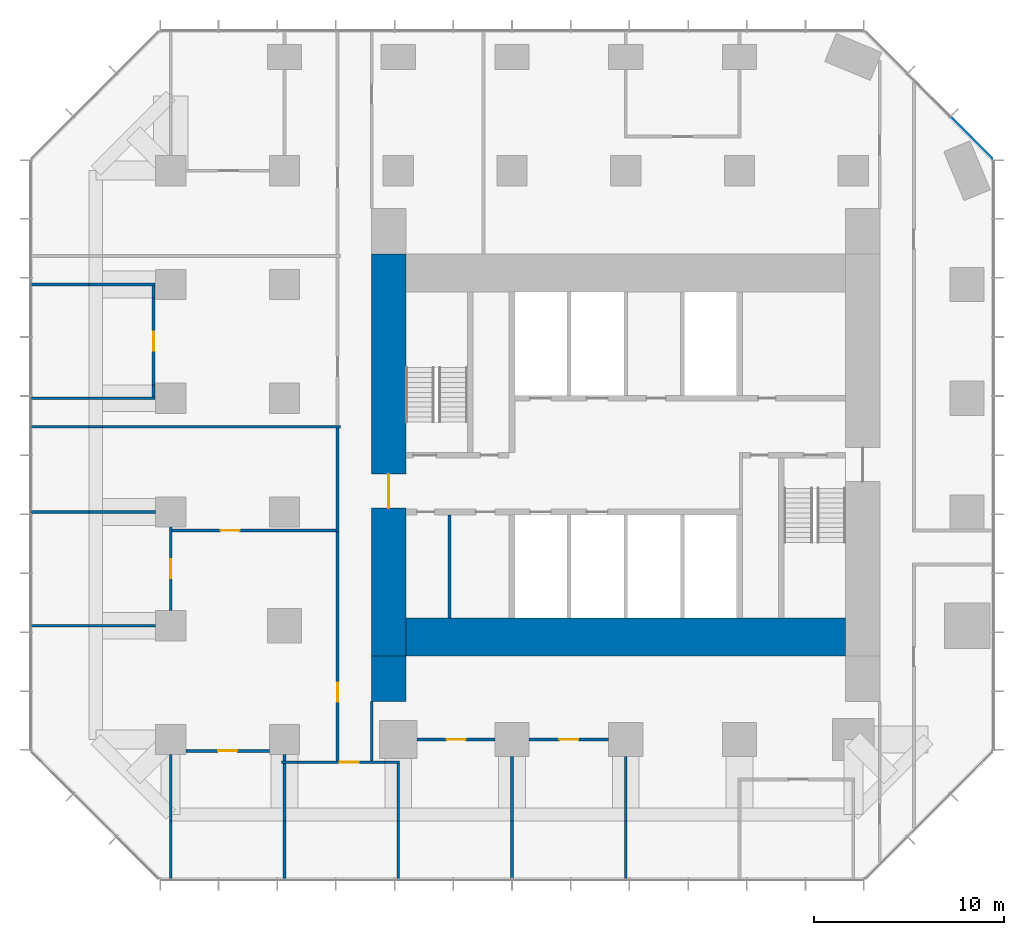
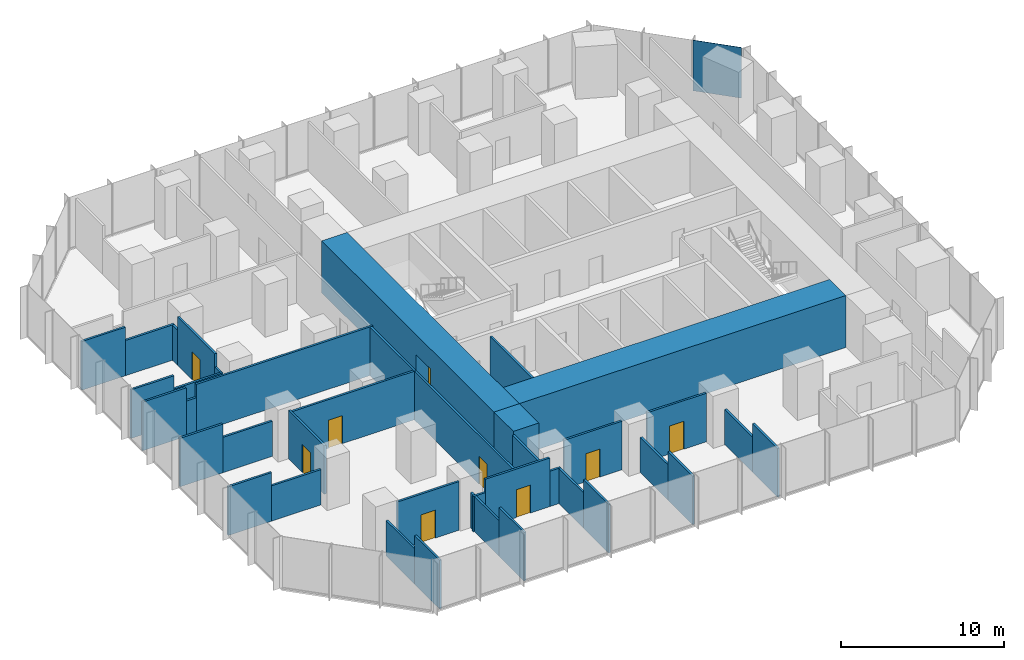
# One storey, part 8 of 11: 40 walls, 9 doors, 1 plate, 9 openings, 1 element without a shape of its own.
"""IFC4 building model written with IfcOpenShell, lengths in metres."""

import ifcopenshell
import ifcopenshell.guid

model = None  # the IFC model being written
_history = None  # IfcOwnerHistory: only IFC2X3 demands one
_inside = {}  # id of a spatial element -> (the spatial element, [elements in it])
_under = {}  # id of a project, library or spatial element -> (it, [spatial elements below it])
_declared = {}  # id of a project -> (the project, [libraries it declares])
_typed = {}  # id of a type object -> (the type object, [elements of that type])
_made_of = {}  # id of a material, layer set ... -> (it, [elements and type objects made of it])


def new_model(schema):
    """Start an empty IFC model of exactly this schema.

    Asked for "IFC4X3", IfcOpenShell would pick the latest addendum, in which some entities
    have other attributes; the version numbers below select the first issue.
    IFC2X3 requires an IfcOwnerHistory on every rooted entity: one is made here for all.
    """
    global model, _history
    if schema == "IFC4X3":
        model = ifcopenshell.file(schema_version=(4, 3, 0, 0))
    else:
        model = ifcopenshell.file(schema=schema)
    _inside.clear()
    _under.clear()
    _declared.clear()
    _typed.clear()
    _made_of.clear()
    _history = None
    if model.schema == "IFC2X3":
        org = make("IfcOrganization", Name="unknown")
        user = make(
            "IfcPersonAndOrganization",
            ThePerson=make("IfcPerson", FamilyName="unknown"),
            TheOrganization=org,
        )
        app = make(
            "IfcApplication",
            ApplicationDeveloper=org,
            Version="unknown",
            ApplicationFullName="unknown",
            ApplicationIdentifier="unknown",
        )
        _history = make(
            "IfcOwnerHistory",
            OwningUser=user,
            OwningApplication=app,
            ChangeAction="ADDED",
            CreationDate=0,
        )
    return model


def make(cls, **values):
    """One entity of the class cls with the attributes given. An attribute that is None is left unset."""
    return model.create_entity(
        cls, **{name: value for name, value in values.items() if value is not None}
    )


def rooted(cls, **values):
    """An entity with a GlobalId (a new one), such as an element, a storey or a relation."""
    return make(cls, GlobalId=ifcopenshell.guid.new(), OwnerHistory=_history, **values)


def si_unit(unit_type, name, prefix=None):
    """IfcSIUnit, for example si_unit("LENGTHUNIT", "METRE", prefix="MILLI")."""
    return make("IfcSIUnit", UnitType=unit_type, Prefix=prefix, Name=name)


def assignment(units):
    """IfcUnitAssignment: the units of a project."""
    return None if units is None else make("IfcUnitAssignment", Units=units)


def point(xyz):
    """IfcCartesianPoint."""
    return None if xyz is None else make("IfcCartesianPoint", Coordinates=xyz)


def direction(xyz):
    """IfcDirection."""
    return None if xyz is None else make("IfcDirection", DirectionRatios=xyz)


def frame(location, z_axis=None, x_axis=None):
    """IfcAxis2Placement3D, a coordinate frame: its origin and axes. An axis left out is left unset."""
    return make(
        "IfcAxis2Placement3D",
        Location=point(location),
        Axis=direction(z_axis),
        RefDirection=direction(x_axis),
    )


def frame_2d(location, x_axis=None):
    """IfcAxis2Placement2D, a coordinate frame in the plane: its origin and x axis."""
    return make(
        "IfcAxis2Placement2D", Location=point(location), RefDirection=direction(x_axis)
    )


def origin():
    """The frame at (0, 0, 0) with its axes left unset."""
    return frame((0.0, 0.0, 0.0))


def origin_2d():
    """The frame at (0, 0) in the plane with its x axis left unset."""
    return frame_2d((0.0, 0.0))


def place(relative_to, where):
    """IfcLocalPlacement: puts the frame where relative to a parent placement (None: the world)."""
    return make(
        "IfcLocalPlacement", PlacementRelTo=relative_to, RelativePlacement=where
    )


def context(
    kind, dimensions, precision=None, world=None, true_north=None, identifier=None
):
    """IfcGeometricRepresentationContext, for example the 3D "Model" context."""
    return make(
        "IfcGeometricRepresentationContext",
        ContextIdentifier=identifier,
        ContextType=kind,
        CoordinateSpaceDimension=dimensions,
        Precision=precision,
        WorldCoordinateSystem=world,
        TrueNorth=true_north,
    )


def subcontext(parent, identifier, kind, view, scale=None):
    """IfcGeometricRepresentationSubContext, for example "Body" below "Model"."""
    return make(
        "IfcGeometricRepresentationSubContext",
        ContextIdentifier=identifier,
        ContextType=kind,
        ParentContext=parent,
        TargetScale=scale,
        TargetView=view,
    )


def project(units=None, contexts=None):
    """IfcProject with its units and contexts."""
    return rooted(
        "IfcProject",
        Name="project",
        RepresentationContexts=contexts,
        UnitsInContext=assignment(units),
    )


def spatial(cls, under=None, at=None, **own):
    """A site, building, storey or space (cls), placed at a placement, below another one or the project."""
    s = rooted(cls, ObjectPlacement=at, **own)
    if under is not None:
        _under.setdefault(under.id(), (under, []))[1].append(s)
    return s


def profile(cls, at=None, kind="AREA", **sizes):
    """A parametric profile (cls). Its sizes go by their IFC names, for example OverallWidth=200.0."""
    return make(cls, ProfileType=kind, Position=at, **sizes)


def rectangle(**sizes):
    """IfcRectangleProfileDef."""
    return profile("IfcRectangleProfileDef", **sizes)


def extrude(swept, where, along, depth):
    """IfcExtrudedAreaSolid: the profile swept, set in the frame where, extruded along a direction by depth."""
    return make(
        "IfcExtrudedAreaSolid",
        SweptArea=swept,
        Position=where,
        ExtrudedDirection=direction(along),
        Depth=depth,
    )


def shape(context_of_items, identifier, shape_type, items):
    """IfcShapeRepresentation: the items that make up one representation, for example the "Body"."""
    return make(
        "IfcShapeRepresentation",
        ContextOfItems=context_of_items,
        RepresentationIdentifier=identifier,
        RepresentationType=shape_type,
        Items=items,
    )


def material(Name=None, Category=None):
    """IfcMaterial."""
    return make("IfcMaterial", Name=Name, Category=Category)


def layer(
    of_material, thickness, ventilated=None, Name=None, Category=None, Priority=None
):
    """IfcMaterialLayer: one layer of a wall or slab, of a material (None: an air gap)."""
    return make(
        "IfcMaterialLayer",
        Material=of_material,
        LayerThickness=thickness,
        IsVentilated=ventilated,
        Name=Name,
        Category=Category,
        Priority=Priority,
    )


def layer_set(layers, Name=None):
    """IfcMaterialLayerSet."""
    return make("IfcMaterialLayerSet", MaterialLayers=layers, LayerSetName=Name)


def made_of(thing, what):
    """Note that an element or type object is made of a material, layer set ...; save() writes the relation."""
    if what is not None:
        _made_of.setdefault(what.id(), (what, []))[1].append(thing)
    return thing


def type_object(cls, material=None, **own):
    """A type object (cls), such as IfcWallType, which elements share."""
    return made_of(rooted(cls, **own), material)


def element(
    cls,
    number,
    at=None,
    inside=None,
    cuts=None,
    type_object=None,
    material=None,
    context=None,
    identifier="Body",
    shape_type=None,
    held_by="IfcProductDefinitionShape",
    body=None,
    shapes=None,
    **own,
):
    """One element of the class cls, such as IfcWall. Its Tag is "e" and its number.

    at: its placement. inside: the storey or other place that contains it. cuts: it is an
    opening in that element (IfcRelVoidsElement). A single representation is given by context,
    identifier, shape_type and body (its items); several are given by shapes. held_by: the class
    of the entity that holds the representations. save() writes the other relations.
    """
    e = rooted(cls, Tag="e%d" % number, ObjectPlacement=at, **own)
    if body is not None:
        shapes = [shape(context, identifier, shape_type, body)]
    if shapes is not None:
        e.Representation = make(held_by, Representations=shapes)
    if inside is not None:
        _inside.setdefault(inside.id(), (inside, []))[1].append(e)
    if cuts is not None:
        rooted(
            "IfcRelVoidsElement", RelatingBuildingElement=cuts, RelatedOpeningElement=e
        )
    if type_object is not None:
        _typed.setdefault(type_object.id(), (type_object, []))[1].append(e)
    return made_of(e, material)


def fill(opening, filler):
    """IfcRelFillsElement: the door or window that sits in an opening."""
    return rooted(
        "IfcRelFillsElement",
        RelatingOpeningElement=opening,
        RelatedBuildingElement=filler,
    )


def aggregate(whole, parts):
    """IfcRelAggregates: a whole, such as a stair, and the parts it consists of."""
    return rooted("IfcRelAggregates", RelatingObject=whole, RelatedObjects=parts)


def save(model, path):
    """Write the relations noted so far, then the file.

    IfcRelAggregates (storeys below a building ...), IfcRelContainedInSpatialStructure (elements
    in a storey), IfcRelDefinesByType, IfcRelAssociatesMaterial and IfcRelDeclares: one each for
    every whole, place, type object, material and project.
    """
    for whole, parts in _under.values():
        aggregate(whole, parts)
    for where, things in _inside.values():
        rooted(
            "IfcRelContainedInSpatialStructure",
            RelatedElements=things,
            RelatingStructure=where,
        )
    for kind, things in _typed.values():
        rooted("IfcRelDefinesByType", RelatedObjects=things, RelatingType=kind)
    for what, things in _made_of.values():
        rooted("IfcRelAssociatesMaterial", RelatedObjects=things, RelatingMaterial=what)
    for by, libraries in _declared.values():
        rooted("IfcRelDeclares", RelatingContext=by, RelatedDefinitions=libraries)
    model.write(path)


model = new_model("IFC4")

# Units and contexts
model_context = context("Model", 3, precision=1e-05, world=origin(), true_north=direction((0.0, 1.0)))
body_context = subcontext(model_context, "Body", "Model", "MODEL_VIEW")
ifc_project = project(units=[si_unit("LENGTHUNIT", "METRE"), si_unit("AREAUNIT", "SQUARE_METRE"), si_unit("VOLUMEUNIT", "CUBIC_METRE"), si_unit("PLANEANGLEUNIT", "RADIAN"), si_unit("MASSUNIT", "GRAM", prefix="KILO")], contexts=[model_context])

# Site, building, storey
site_placement = place(None, origin())
site = spatial("IfcSite", under=ifc_project, at=site_placement, CompositionType="ELEMENT")
building_placement = place(site_placement, origin())
building = spatial("IfcBuilding", under=site, at=building_placement, Name="Highveld Stack Headquarters", CompositionType="ELEMENT")
storey_placement = place(building_placement, frame((0.0, 0.0, 125.0)))
storey = spatial("IfcBuildingStorey", under=building, at=storey_placement, Name="L30", CompositionType="ELEMENT", Elevation=125.0)

# Curtain wall, plate
ifc_material_1 = material(Name="Aluminium bronze anodised", Category="aluminium")
ifc_layer_1 = layer(ifc_material_1, 0.199951171875)
ifc_layer_set_1 = layer_set([ifc_layer_1], Name="Aluminium bronze anodised")
curtain_wall_type = type_object("IfcCurtainWallType", Name="CW2 TOWER CHAMFER UNITISED CURTAIN WALL", PredefinedType="NOTDEFINED", material=ifc_layer_set_1)
curtain_wall_placement = place(storey_placement, origin())
curtain_wall = element("IfcCurtainWall", 1, at=curtain_wall_placement, inside=storey, type_object=curtain_wall_type, Name="Curtain wall CW2 L30 NE", PredefinedType="NOTDEFINED")
ifc_material_2 = material(Name="Glass bronze tinted double glazed unit", Category="glass")
ifc_layer_2 = layer(ifc_material_2, 0.028076171875)
ifc_layer_set_2 = layer_set([ifc_layer_2], Name="Glass bronze tinted double glazed unit")
plate_type = type_object("IfcPlateType", Name="CW2 PANEL BRONZE TINTED DOUBLE GLAZED UNIT", PredefinedType="CURTAIN_PANEL", material=ifc_layer_set_2)
plate_placement = place(storey_placement, frame((24.239501953125, 19.740478515625, 0.10009765625), z_axis=(0.0, 0.0, 1.0), x_axis=(-0.707106781187, 0.707106781187, 0.0)))
plate = element("IfcPlate", 2, at=plate_placement, type_object=plate_type, Name="CW2 panel L30 1.1", PredefinedType="CURTAIN_PANEL", context=body_context, shape_type="SweptSolid", body=[
    extrude(rectangle(XDim=3.08251953125, YDim=0.028076171875, at=origin_2d()), origin(), (0.0, 0.0, 1.0), 3.800048828125),
])
aggregate(curtain_wall, [plate])

# Wall, opening, door
ifc_material_3 = material(Name="Concrete C60/75", Category="concrete")
ifc_layer_3 = layer(ifc_material_3, 1.800048828125)
ifc_layer_set_3 = layer_set([ifc_layer_3], Name="Concrete C60/75")
wall_type_1 = type_object("IfcWallType", Name="CORE WALL 1800 C60/75", PredefinedType="SHEAR", material=ifc_layer_set_3)
wall_1_placement = place(storey_placement, frame((-6.5, -7.60009765625, 0.0), z_axis=(0.0, 0.0, 1.0), x_axis=(0.0, 1.0, 0.0)))
wall_1 = element("IfcWall", 3, at=wall_1_placement, inside=storey, type_object=wall_type_1, Name="Core wall W L30", PredefinedType="SHEAR", context=body_context, shape_type="SweptSolid", body=[
    extrude(rectangle(XDim=21.2001953125, YDim=1.800048828125, at=frame_2d((10.60009765625, 0.0))), origin(), (0.0, 0.0, 1.0), 3.89990234375),
])
opening_1_placement = place(wall_1_placement, frame((7.800048828125, 0.0, 0.0)))
opening_1 = element("IfcOpeningElement", 4, at=opening_1_placement, cuts=wall_1, Name="Opening L30-01", PredefinedType="OPENING", context=body_context, shape_type="SweptSolid", body=[
    extrude(rectangle(XDim=1.800048828125, YDim=2.39990234375, at=frame_2d((0.89990234375, 1.199951171875))), frame((0.0, 0.909912109375, 0.0), z_axis=(0.0, -1.0, 0.0), x_axis=(1.0, 0.0, 0.0)), (0.0, 0.0, 1.0), 1.820068359375),
])
ifc_material_4 = material(Name="Steel fire door", Category="steel")
door_type_1 = type_object("IfcDoorType", Name="LOBBY FIRE DOOR D4 1800x2400", OperationType="DOUBLE_DOOR_SINGLE_SWING", PredefinedType="DOOR", material=ifc_material_4)
door_1_placement = place(opening_1_placement, origin())
door_1 = element("IfcDoor", 5, at=door_1_placement, inside=storey, type_object=door_type_1, Name="Core west door L30", OperationType="DOUBLE_DOOR_SINGLE_SWING", OverallHeight=2.39990234375, OverallWidth=1.800048828125, PredefinedType="DOOR", context=body_context, shape_type="SweptSolid", body=[
    extrude(rectangle(XDim=1.800048828125, YDim=2.39990234375, at=frame_2d((0.89990234375, 1.199951171875))), frame((0.0, 0.02490234375, 0.0), z_axis=(0.0, -1.0, 0.0), x_axis=(1.0, 0.0, 0.0)), (0.0, 0.0, 1.0), 0.050048828125),
])
fill(opening_1, door_1)

# Walls
ifc_material_5 = material(Name="Concrete C60/75", Category="concrete")
ifc_layer_4 = layer(ifc_material_5, 2.0)
ifc_layer_set_4 = layer_set([ifc_layer_4], Name="Concrete C60/75")
wall_type_2 = type_object("IfcWallType", Name="CORE WALL 2000 C60/75", PredefinedType="SHEAR", material=ifc_layer_set_4)
wall_2_placement = place(storey_placement, frame((-5.60009765625, -6.60009765625, 0.0), z_axis=(0.0, 0.0, 1.0), x_axis=(1.0, 0.0, 0.0)))
element("IfcWall", 6, at=wall_2_placement, inside=storey, type_object=wall_type_2, Name="Core wall S L30", PredefinedType="SHEAR", context=body_context, shape_type="SweptSolid", body=[
    extrude(rectangle(XDim=23.2001953125, YDim=2.0, at=frame_2d((11.60009765625, 0.0))), origin(), (0.0, 0.0, 1.0), 3.89990234375),
])
ifc_material_6 = material(Name="Concrete C60/75", Category="concrete")
ifc_layer_5 = layer(ifc_material_6, 1.800048828125)
ifc_layer_set_5 = layer_set([ifc_layer_5], Name="Concrete C60/75")
wall_type_3 = type_object("IfcWallType", Name="CORE WING WALL 1800 C60/75", PredefinedType="SHEAR", material=ifc_layer_set_5)
wall_3_placement = place(storey_placement, frame((-6.5, -10.0, 0.0), z_axis=(0.0, 0.0, 1.0), x_axis=(0.0, 1.0, 0.0)))
element("IfcWall", 7, at=wall_3_placement, inside=storey, type_object=wall_type_3, Name="Core wing wall WS L30", PredefinedType="SHEAR", context=body_context, shape_type="SweptSolid", body=[
    extrude(rectangle(XDim=2.39990234375, YDim=1.800048828125, at=frame_2d((1.199951171875, 0.0))), origin(), (0.0, 0.0, 1.0), 3.89990234375),
])

# Wall, opening, door
ifc_material_7 = material(Name="Laminated glass in aluminium frame", Category="aluminium")
ifc_layer_6 = layer(ifc_material_7, 0.14990234375)
ifc_layer_set_6 = layer_set([ifc_layer_6], Name="Laminated glass in aluminium frame")
wall_type_4 = type_object("IfcWallType", Name="GLAZED PARTITION 150", PredefinedType="PARTITIONING", material=ifc_layer_set_6)
wall_4_placement = place(storey_placement, frame((-17.199951171875, -12.60009765625, 0.0), z_axis=(0.0, 0.0, 1.0), x_axis=(1.0, 0.0, 0.0)))
wall_4 = element("IfcWall", 8, at=wall_4_placement, inside=storey, type_object=wall_type_4, Name="Glazed partition Video conference room L30", PredefinedType="PARTITIONING", context=body_context, shape_type="SweptSolid", body=[
    extrude(rectangle(XDim=4.39990234375, YDim=0.14990234375, at=frame_2d((2.199951171875, 0.0))), origin(), (0.0, 0.0, 1.0), 3.64990234375),
])
opening_2_placement = place(wall_4_placement, frame((1.699951171875, 0.0, 0.0)))
opening_2 = element("IfcOpeningElement", 9, at=opening_2_placement, cuts=wall_4, Name="Opening L30-11", PredefinedType="OPENING", context=body_context, shape_type="SweptSolid", body=[
    extrude(rectangle(XDim=1.0, YDim=2.10009765625, at=frame_2d((0.5, 1.050048828125))), frame((0.0, 0.0849609375, 0.0), z_axis=(0.0, -1.0, 0.0), x_axis=(1.0, 0.0, 0.0)), (0.0, 0.0, 1.0), 0.169921875),
])
ifc_material_8 = material(Name="Timber door, oiled ash", Category="wood")
door_type_2 = type_object("IfcDoorType", Name="ROOM DOOR D6 1000x2100", OperationType="SINGLE_SWING_LEFT", PredefinedType="DOOR", material=ifc_material_8)
door_2_placement = place(opening_2_placement, origin())
door_2 = element("IfcDoor", 10, at=door_2_placement, inside=storey, type_object=door_type_2, Name="Video conference room door 1 L30", OperationType="SINGLE_SWING_RIGHT", OverallHeight=2.10009765625, OverallWidth=1.0, PredefinedType="DOOR", context=body_context, shape_type="SweptSolid", body=[
    extrude(rectangle(XDim=1.0, YDim=2.10009765625, at=frame_2d((0.5, 1.050048828125))), frame((0.0, 0.02490234375, 0.0), z_axis=(0.0, -1.0, 0.0), x_axis=(1.0, 0.0, 0.0)), (0.0, 0.0, 1.0), 0.050048828125),
])
fill(opening_2, door_2)

wall_5_placement = place(storey_placement, frame((0.89990234375, -12.0, 0.0), z_axis=(0.0, 0.0, 1.0), x_axis=(1.0, 0.0, 0.0)))
wall_5 = element("IfcWall", 11, at=wall_5_placement, inside=storey, type_object=wall_type_4, Name="Glazed partition Meeting room L30", PredefinedType="PARTITIONING", context=body_context, shape_type="SweptSolid", body=[
    extrude(rectangle(XDim=4.2001953125, YDim=0.14990234375, at=frame_2d((2.10009765625, 0.0))), origin(), (0.0, 0.0, 1.0), 3.64990234375),
])
opening_3_placement = place(wall_5_placement, frame((1.60009765625, 0.0, 0.0)))
opening_3 = element("IfcOpeningElement", 12, at=opening_3_placement, cuts=wall_5, Name="Opening L30-14", PredefinedType="OPENING", context=body_context, shape_type="SweptSolid", body=[
    extrude(rectangle(XDim=1.0, YDim=2.10009765625, at=frame_2d((0.5, 1.050048828125))), frame((0.0, 0.0849609375, 0.0), z_axis=(0.0, -1.0, 0.0), x_axis=(1.0, 0.0, 0.0)), (0.0, 0.0, 1.0), 0.169921875),
])
door_3_placement = place(opening_3_placement, origin())
door_3 = element("IfcDoor", 13, at=door_3_placement, inside=storey, type_object=door_type_2, Name="Meeting room door 1 L30", OperationType="SINGLE_SWING_RIGHT", OverallHeight=2.10009765625, OverallWidth=1.0, PredefinedType="DOOR", context=body_context, shape_type="SweptSolid", body=[
    extrude(rectangle(XDim=1.0, YDim=2.10009765625, at=frame_2d((0.5, 1.050048828125))), frame((0.0, 0.02490234375, 0.0), z_axis=(0.0, -1.0, 0.0), x_axis=(1.0, 0.0, 0.0)), (0.0, 0.0, 1.0), 0.050048828125),
])
fill(opening_3, door_3)

wall_6_placement = place(storey_placement, frame((-18.0, -5.199951171875, 0.0), z_axis=(0.0, 0.0, 1.0), x_axis=(0.0, 1.0, 0.0)))
wall_6 = element("IfcWall", 14, at=wall_6_placement, inside=storey, type_object=wall_type_4, Name="Glazed partition Meeting room L30", PredefinedType="PARTITIONING", context=body_context, shape_type="SweptSolid", body=[
    extrude(rectangle(XDim=4.39990234375, YDim=0.14990234375, at=frame_2d((2.199951171875, 0.0))), origin(), (0.0, 0.0, 1.0), 3.64990234375),
])
opening_4_placement = place(wall_6_placement, frame((1.699951171875, 0.0, 0.0)))
opening_4 = element("IfcOpeningElement", 15, at=opening_4_placement, cuts=wall_6, Name="Opening L30-16", PredefinedType="OPENING", context=body_context, shape_type="SweptSolid", body=[
    extrude(rectangle(XDim=1.0, YDim=2.10009765625, at=frame_2d((0.5, 1.050048828125))), frame((0.0, 0.0849609375, 0.0), z_axis=(0.0, -1.0, 0.0), x_axis=(1.0, 0.0, 0.0)), (0.0, 0.0, 1.0), 0.169921875),
])
door_4_placement = place(opening_4_placement, origin())
door_4 = element("IfcDoor", 16, at=door_4_placement, inside=storey, type_object=door_type_2, Name="Meeting room door 1 L30", OperationType="SINGLE_SWING_RIGHT", OverallHeight=2.10009765625, OverallWidth=1.0, PredefinedType="DOOR", context=body_context, shape_type="SweptSolid", body=[
    extrude(rectangle(XDim=1.0, YDim=2.10009765625, at=frame_2d((0.5, 1.050048828125))), frame((0.0, 0.02490234375, 0.0), z_axis=(0.0, -1.0, 0.0), x_axis=(1.0, 0.0, 0.0)), (0.0, 0.0, 1.0), 0.050048828125),
])
fill(opening_4, door_4)

# Wall
ifc_material_9 = material(Name="Gypsum plasterboard on steel studs", Category="steel")
ifc_layer_7 = layer(ifc_material_9, 0.14990234375)
ifc_layer_set_7 = layer_set([ifc_layer_7], Name="Gypsum plasterboard on steel studs")
wall_type_5 = type_object("IfcWallType", Name="PARTITION 150 PLASTERBOARD", PredefinedType="PARTITIONING", material=ifc_layer_set_7)
wall_7_placement = place(storey_placement, frame((-12.14990234375, -13.199951171875, 0.0), z_axis=(0.0, 0.0, 1.0), x_axis=(1.0, 0.0, 0.0)))
element("IfcWall", 17, at=wall_7_placement, inside=storey, type_object=wall_type_5, Name="Partition Tea kitchen L30", PredefinedType="PARTITIONING", context=body_context, shape_type="SweptSolid", body=[
    extrude(rectangle(XDim=0.85986328125, YDim=0.14990234375, at=frame_2d((0.429931640625, 0.0))), origin(), (0.0, 0.0, 1.0), 2.64990234375),
])

# Wall, opening, door
wall_8_placement = place(storey_placement, frame((-11.2900390625, -13.199951171875, 0.0), z_axis=(0.0, 0.0, 1.0), x_axis=(1.0, 0.0, 0.0)))
wall_8 = element("IfcWall", 18, at=wall_8_placement, inside=storey, type_object=wall_type_5, Name="Partition Tea kitchen L30", PredefinedType="PARTITIONING", context=body_context, shape_type="SweptSolid", body=[
    extrude(rectangle(XDim=4.580078125, YDim=0.14990234375, at=frame_2d((2.2900390625, 0.0))), origin(), (0.0, 0.0, 1.0), 3.64990234375),
])
opening_5_placement = place(wall_8_placement, frame((2.199951171875, 0.0, 0.0)))
opening_5 = element("IfcOpeningElement", 19, at=opening_5_placement, cuts=wall_8, Name="Opening L30-12", PredefinedType="OPENING", context=body_context, shape_type="SweptSolid", body=[
    extrude(rectangle(XDim=1.0, YDim=2.10009765625, at=frame_2d((0.5, 1.050048828125))), frame((0.0, 0.0849609375, 0.0), z_axis=(0.0, -1.0, 0.0), x_axis=(1.0, 0.0, 0.0)), (0.0, 0.0, 1.0), 0.169921875),
])
door_5_placement = place(opening_5_placement, origin())
door_5 = element("IfcDoor", 20, at=door_5_placement, inside=storey, type_object=door_type_2, Name="Tea kitchen door 1 L30", OperationType="SINGLE_SWING_RIGHT", OverallHeight=2.10009765625, OverallWidth=1.0, PredefinedType="DOOR", context=body_context, shape_type="SweptSolid", body=[
    extrude(rectangle(XDim=1.0, YDim=2.10009765625, at=frame_2d((0.5, 1.050048828125))), frame((0.0, 0.02490234375, 0.0), z_axis=(0.0, -1.0, 0.0), x_axis=(1.0, 0.0, 0.0)), (0.0, 0.0, 1.0), 0.050048828125),
])
fill(opening_5, door_5)

# Wall
wall_9_placement = place(storey_placement, frame((-6.7099609375, -13.199951171875, 0.0), z_axis=(0.0, 0.0, 1.0), x_axis=(1.0, 0.0, 0.0)))
element("IfcWall", 21, at=wall_9_placement, inside=storey, type_object=wall_type_5, Name="Partition Tea kitchen L30", PredefinedType="PARTITIONING", context=body_context, shape_type="SweptSolid", body=[
    extrude(rectangle(XDim=0.784912109375, YDim=0.14990234375, at=frame_2d((0.392578125, 0.0))), origin(), (0.0, 0.0, 1.0), 2.64990234375),
])

# Wall, opening, door
wall_10_placement = place(storey_placement, frame((-5.0, -12.0, 0.0), z_axis=(0.0, 0.0, 1.0), x_axis=(1.0, 0.0, 0.0)))
wall_10 = element("IfcWall", 22, at=wall_10_placement, inside=storey, type_object=wall_type_5, Name="Partition Office L30", PredefinedType="PARTITIONING", context=body_context, shape_type="SweptSolid", body=[
    extrude(rectangle(XDim=4.10009765625, YDim=0.14990234375, at=frame_2d((2.050048828125, 0.0))), origin(), (0.0, 0.0, 1.0), 3.64990234375),
])
opening_6_placement = place(wall_10_placement, frame((1.550048828125, 0.0, 0.0)))
opening_6 = element("IfcOpeningElement", 23, at=opening_6_placement, cuts=wall_10, Name="Opening L30-13", PredefinedType="OPENING", context=body_context, shape_type="SweptSolid", body=[
    extrude(rectangle(XDim=1.0, YDim=2.10009765625, at=frame_2d((0.5, 1.050048828125))), frame((0.0, 0.0849609375, 0.0), z_axis=(0.0, -1.0, 0.0), x_axis=(1.0, 0.0, 0.0)), (0.0, 0.0, 1.0), 0.169921875),
])
door_6_placement = place(opening_6_placement, origin())
door_6 = element("IfcDoor", 24, at=door_6_placement, inside=storey, type_object=door_type_2, Name="Office door 1 L30", OperationType="SINGLE_SWING_RIGHT", OverallHeight=2.10009765625, OverallWidth=1.0, PredefinedType="DOOR", context=body_context, shape_type="SweptSolid", body=[
    extrude(rectangle(XDim=1.0, YDim=2.10009765625, at=frame_2d((0.5, 1.050048828125))), frame((0.0, 0.02490234375, 0.0), z_axis=(0.0, -1.0, 0.0), x_axis=(1.0, 0.0, 0.0)), (0.0, 0.0, 1.0), 0.050048828125),
])
fill(opening_6, door_6)

# Walls
wall_11_placement = place(storey_placement, frame((-25.39990234375, -6.0, 0.0), z_axis=(0.0, 0.0, 1.0), x_axis=(1.0, 0.0, 0.0)))
element("IfcWall", 25, at=wall_11_placement, inside=storey, type_object=wall_type_5, Name="Partition Meeting room L30", PredefinedType="PARTITIONING", context=body_context, shape_type="SweptSolid", body=[
    extrude(rectangle(XDim=3.08984375, YDim=0.14990234375, at=frame_2d((1.544921875, 0.0))), origin(), (0.0, 0.0, 1.0), 3.64990234375),
])
wall_12_placement = place(storey_placement, frame((-22.31005859375, -6.0, 0.0), z_axis=(0.0, 0.0, 1.0), x_axis=(1.0, 0.0, 0.0)))
element("IfcWall", 26, at=wall_12_placement, inside=storey, type_object=wall_type_5, Name="Partition Meeting room L30", PredefinedType="PARTITIONING", context=body_context, shape_type="SweptSolid", body=[
    extrude(rectangle(XDim=3.510009765625, YDim=0.14990234375, at=frame_2d((1.7548828125, 0.0))), origin(), (0.0, 0.0, 1.0), 2.64990234375),
])
wall_13_placement = place(storey_placement, frame((-25.35009765625, 0.0, 0.0), z_axis=(0.0, 0.0, 1.0), x_axis=(1.0, 0.0, 0.0)))
element("IfcWall", 27, at=wall_13_placement, inside=storey, type_object=wall_type_5, Name="Partition Meeting room L30", PredefinedType="PARTITIONING", context=body_context, shape_type="SweptSolid", body=[
    extrude(rectangle(XDim=3.0400390625, YDim=0.14990234375, at=frame_2d((1.52001953125, 0.0))), origin(), (0.0, 0.0, 1.0), 3.64990234375),
])
wall_14_placement = place(storey_placement, frame((-22.31005859375, 0.0, 0.0), z_axis=(0.0, 0.0, 1.0), x_axis=(1.0, 0.0, 0.0)))
element("IfcWall", 28, at=wall_14_placement, inside=storey, type_object=wall_type_5, Name="Partition Meeting room L30", PredefinedType="PARTITIONING", context=body_context, shape_type="SweptSolid", body=[
    extrude(rectangle(XDim=3.510009765625, YDim=0.14990234375, at=frame_2d((1.7548828125, 0.0))), origin(), (0.0, 0.0, 1.0), 2.64990234375),
])
wall_15_placement = place(storey_placement, frame((-25.35009765625, 6.0, 0.0), z_axis=(0.0, 0.0, 1.0), x_axis=(1.0, 0.0, 0.0)))
element("IfcWall", 29, at=wall_15_placement, inside=storey, type_object=wall_type_5, Name="Partition Interview room L30", PredefinedType="PARTITIONING", context=body_context, shape_type="SweptSolid", body=[
    extrude(rectangle(XDim=3.0400390625, YDim=0.14990234375, at=frame_2d((1.52001953125, 0.0))), origin(), (0.0, 0.0, 1.0), 3.64990234375),
])
wall_16_placement = place(storey_placement, frame((-22.31005859375, 6.0, 0.0), z_axis=(0.0, 0.0, 1.0), x_axis=(1.0, 0.0, 0.0)))
element("IfcWall", 30, at=wall_16_placement, inside=storey, type_object=wall_type_5, Name="Partition Interview room L30", PredefinedType="PARTITIONING", context=body_context, shape_type="SweptSolid", body=[
    extrude(rectangle(XDim=3.485107421875, YDim=0.14990234375, at=frame_2d((1.74267578125, 0.0))), origin(), (0.0, 0.0, 1.0), 2.64990234375),
])
wall_17_placement = place(storey_placement, frame((-25.39990234375, 12.0, 0.0), z_axis=(0.0, 0.0, 1.0), x_axis=(1.0, 0.0, 0.0)))
element("IfcWall", 31, at=wall_17_placement, inside=storey, type_object=wall_type_5, Name="Partition Interview room L30", PredefinedType="PARTITIONING", context=body_context, shape_type="SweptSolid", body=[
    extrude(rectangle(XDim=3.08984375, YDim=0.14990234375, at=frame_2d((1.544921875, 0.0))), origin(), (0.0, 0.0, 1.0), 3.64990234375),
])
wall_18_placement = place(storey_placement, frame((-22.31005859375, 12.0, 0.0), z_axis=(0.0, 0.0, 1.0), x_axis=(1.0, 0.0, 0.0)))
element("IfcWall", 32, at=wall_18_placement, inside=storey, type_object=wall_type_5, Name="Partition Interview room L30", PredefinedType="PARTITIONING", context=body_context, shape_type="SweptSolid", body=[
    extrude(rectangle(XDim=3.485107421875, YDim=0.14990234375, at=frame_2d((1.74267578125, 0.0))), origin(), (0.0, 0.0, 1.0), 2.64990234375),
])
wall_19_placement = place(storey_placement, frame((-18.89990234375, 6.074951171875, 0.0), z_axis=(0.0, 0.0, 1.0), x_axis=(0.0, 1.0, 0.0)))
element("IfcWall", 33, at=wall_19_placement, inside=storey, type_object=wall_type_5, Name="Partition Interview room L30", PredefinedType="PARTITIONING", context=body_context, shape_type="SweptSolid", body=[
    extrude(rectangle(XDim=0.635009765625, YDim=0.14990234375, at=frame_2d((0.3173828125, 0.0))), origin(), (0.0, 0.0, 1.0), 2.64990234375),
])

# Wall, opening, door
wall_20_placement = place(storey_placement, frame((-18.89990234375, 6.7099609375, 0.0), z_axis=(0.0, 0.0, 1.0), x_axis=(0.0, 1.0, 0.0)))
wall_20 = element("IfcWall", 34, at=wall_20_placement, inside=storey, type_object=wall_type_5, Name="Partition Interview room L30", PredefinedType="PARTITIONING", context=body_context, shape_type="SweptSolid", body=[
    extrude(rectangle(XDim=4.580078125, YDim=0.14990234375, at=frame_2d((2.2900390625, 0.0))), origin(), (0.0, 0.0, 1.0), 3.64990234375),
])
opening_7_placement = place(wall_20_placement, frame((1.7900390625, 0.0, 0.0)))
opening_7 = element("IfcOpeningElement", 35, at=opening_7_placement, cuts=wall_20, Name="Opening L30-17", PredefinedType="OPENING", context=body_context, shape_type="SweptSolid", body=[
    extrude(rectangle(XDim=1.0, YDim=2.10009765625, at=frame_2d((0.5, 1.050048828125))), frame((0.0, 0.0849609375, 0.0), z_axis=(0.0, -1.0, 0.0), x_axis=(1.0, 0.0, 0.0)), (0.0, 0.0, 1.0), 0.169921875),
])
door_7_placement = place(opening_7_placement, origin())
door_7 = element("IfcDoor", 36, at=door_7_placement, inside=storey, type_object=door_type_2, Name="Interview room door 1 L30", OperationType="SINGLE_SWING_RIGHT", OverallHeight=2.10009765625, OverallWidth=1.0, PredefinedType="DOOR", context=body_context, shape_type="SweptSolid", body=[
    extrude(rectangle(XDim=1.0, YDim=2.10009765625, at=frame_2d((0.5, 1.050048828125))), frame((0.0, 0.02490234375, 0.0), z_axis=(0.0, -1.0, 0.0), x_axis=(1.0, 0.0, 0.0)), (0.0, 0.0, 1.0), 0.050048828125),
])
fill(opening_7, door_7)

# Walls
wall_21_placement = place(storey_placement, frame((-18.89990234375, 11.2900390625, 0.0), z_axis=(0.0, 0.0, 1.0), x_axis=(0.0, 1.0, 0.0)))
element("IfcWall", 37, at=wall_21_placement, inside=storey, type_object=wall_type_5, Name="Partition Interview room L30", PredefinedType="PARTITIONING", context=body_context, shape_type="SweptSolid", body=[
    extrude(rectangle(XDim=0.635009765625, YDim=0.14990234375, at=frame_2d((0.3173828125, 0.0))), origin(), (0.0, 0.0, 1.0), 2.64990234375),
])
wall_22_placement = place(storey_placement, frame((-18.0, -19.39990234375, 0.0), z_axis=(0.0, 0.0, 1.0), x_axis=(0.0, 1.0, 0.0)))
element("IfcWall", 38, at=wall_22_placement, inside=storey, type_object=wall_type_5, Name="Partition Video conference room L30", PredefinedType="PARTITIONING", context=body_context, shape_type="SweptSolid", body=[
    extrude(rectangle(XDim=3.08984375, YDim=0.14990234375, at=frame_2d((1.544921875, 0.0))), origin(), (0.0, 0.0, 1.0), 3.64990234375),
])
wall_23_placement = place(storey_placement, frame((-18.0, -16.31005859375, 0.0), z_axis=(0.0, 0.0, 1.0), x_axis=(0.0, 1.0, 0.0)))
element("IfcWall", 39, at=wall_23_placement, inside=storey, type_object=wall_type_5, Name="Partition Video conference room L30", PredefinedType="PARTITIONING", context=body_context, shape_type="SweptSolid", body=[
    extrude(rectangle(XDim=3.510009765625, YDim=0.14990234375, at=frame_2d((1.7548828125, 0.0))), origin(), (0.0, 0.0, 1.0), 2.64990234375),
])
wall_24_placement = place(storey_placement, frame((-12.0, -19.39990234375, 0.0), z_axis=(0.0, 0.0, 1.0), x_axis=(0.0, 1.0, 0.0)))
element("IfcWall", 40, at=wall_24_placement, inside=storey, type_object=wall_type_5, Name="Partition Tea kitchen / Video conference room L30", PredefinedType="PARTITIONING", context=body_context, shape_type="SweptSolid", body=[
    extrude(rectangle(XDim=3.08984375, YDim=0.14990234375, at=frame_2d((1.544921875, 0.0))), origin(), (0.0, 0.0, 1.0), 3.64990234375),
])
wall_25_placement = place(storey_placement, frame((-12.0, -16.31005859375, 0.0), z_axis=(0.0, 0.0, 1.0), x_axis=(0.0, 1.0, 0.0)))
element("IfcWall", 41, at=wall_25_placement, inside=storey, type_object=wall_type_5, Name="Partition Tea kitchen / Video conference room L30", PredefinedType="PARTITIONING", context=body_context, shape_type="SweptSolid", body=[
    extrude(rectangle(XDim=3.03515625, YDim=0.14990234375, at=frame_2d((1.517578125, 0.0))), origin(), (0.0, 0.0, 1.0), 2.64990234375),
])
wall_26_placement = place(storey_placement, frame((-12.0, -13.125, 0.0), z_axis=(0.0, 0.0, 1.0), x_axis=(0.0, 1.0, 0.0)))
element("IfcWall", 42, at=wall_26_placement, inside=storey, type_object=wall_type_5, Name="Partition Video conference room L30", PredefinedType="PARTITIONING", context=body_context, shape_type="SweptSolid", body=[
    extrude(rectangle(XDim=0.324951171875, YDim=0.14990234375, at=frame_2d((0.16259765625, 0.0))), origin(), (0.0, 0.0, 1.0), 2.64990234375),
])
wall_27_placement = place(storey_placement, frame((-6.0, -19.39990234375, 0.0), z_axis=(0.0, 0.0, 1.0), x_axis=(0.0, 1.0, 0.0)))
element("IfcWall", 43, at=wall_27_placement, inside=storey, type_object=wall_type_5, Name="Partition Office / Tea kitchen L30", PredefinedType="PARTITIONING", context=body_context, shape_type="SweptSolid", body=[
    extrude(rectangle(XDim=3.08984375, YDim=0.14990234375, at=frame_2d((1.544921875, 0.0))), origin(), (0.0, 0.0, 1.0), 3.64990234375),
])
wall_28_placement = place(storey_placement, frame((-6.0, -16.31005859375, 0.0), z_axis=(0.0, 0.0, 1.0), x_axis=(0.0, 1.0, 0.0)))
element("IfcWall", 44, at=wall_28_placement, inside=storey, type_object=wall_type_5, Name="Partition Office / Tea kitchen L30", PredefinedType="PARTITIONING", context=body_context, shape_type="SweptSolid", body=[
    extrude(rectangle(XDim=3.03515625, YDim=0.14990234375, at=frame_2d((1.517578125, 0.0))), origin(), (0.0, 0.0, 1.0), 2.64990234375),
])
wall_29_placement = place(storey_placement, frame((0.0, -19.35009765625, 0.0), z_axis=(0.0, 0.0, 1.0), x_axis=(0.0, 1.0, 0.0)))
element("IfcWall", 45, at=wall_29_placement, inside=storey, type_object=wall_type_5, Name="Partition Meeting room / Office L30", PredefinedType="PARTITIONING", context=body_context, shape_type="SweptSolid", body=[
    extrude(rectangle(XDim=3.0400390625, YDim=0.14990234375, at=frame_2d((1.52001953125, 0.0))), origin(), (0.0, 0.0, 1.0), 3.64990234375),
])
wall_30_placement = place(storey_placement, frame((0.0, -16.31005859375, 0.0), z_axis=(0.0, 0.0, 1.0), x_axis=(0.0, 1.0, 0.0)))
element("IfcWall", 46, at=wall_30_placement, inside=storey, type_object=wall_type_5, Name="Partition Meeting room / Office L30", PredefinedType="PARTITIONING", context=body_context, shape_type="SweptSolid", body=[
    extrude(rectangle(XDim=3.41015625, YDim=0.14990234375, at=frame_2d((1.705078125, 0.0))), origin(), (0.0, 0.0, 1.0), 2.64990234375),
])
wall_31_placement = place(storey_placement, frame((6.0, -19.39990234375, 0.0), z_axis=(0.0, 0.0, 1.0), x_axis=(0.0, 1.0, 0.0)))
element("IfcWall", 47, at=wall_31_placement, inside=storey, type_object=wall_type_5, Name="Partition Meeting room L30", PredefinedType="PARTITIONING", context=body_context, shape_type="SweptSolid", body=[
    extrude(rectangle(XDim=3.08984375, YDim=0.14990234375, at=frame_2d((1.544921875, 0.0))), origin(), (0.0, 0.0, 1.0), 3.64990234375),
])
wall_32_placement = place(storey_placement, frame((6.0, -16.31005859375, 0.0), z_axis=(0.0, 0.0, 1.0), x_axis=(0.0, 1.0, 0.0)))
element("IfcWall", 48, at=wall_32_placement, inside=storey, type_object=wall_type_5, Name="Partition Meeting room L30", PredefinedType="PARTITIONING", context=body_context, shape_type="SweptSolid", body=[
    extrude(rectangle(XDim=3.41015625, YDim=0.14990234375, at=frame_2d((1.705078125, 0.0))), origin(), (0.0, 0.0, 1.0), 2.64990234375),
])
wall_33_placement = place(storey_placement, frame((-25.39990234375, 4.5, 0.0), z_axis=(0.0, 0.0, 1.0), x_axis=(1.0, 0.0, 0.0)))
element("IfcWall", 49, at=wall_33_placement, inside=storey, type_object=wall_type_5, Name="Partition office neighbourhood L30", PredefinedType="PARTITIONING", context=body_context, shape_type="SweptSolid", body=[
    extrude(rectangle(XDim=3.08984375, YDim=0.14990234375, at=frame_2d((1.544921875, 0.0))), origin(), (0.0, 0.0, 1.0), 3.64990234375),
])
wall_34_placement = place(storey_placement, frame((-22.31005859375, 4.5, 0.0), z_axis=(0.0, 0.0, 1.0), x_axis=(1.0, 0.0, 0.0)))
element("IfcWall", 50, at=wall_34_placement, inside=storey, type_object=wall_type_5, Name="Partition office neighbourhood L30", PredefinedType="PARTITIONING", context=body_context, shape_type="SweptSolid", body=[
    extrude(rectangle(XDim=0.719970703125, YDim=0.14990234375, at=frame_2d((0.35986328125, 0.0))), origin(), (0.0, 0.0, 1.0), 2.64990234375),
])
wall_35_placement = place(storey_placement, frame((-21.590087890625, 4.5, 0.0), z_axis=(0.0, 0.0, 1.0), x_axis=(1.0, 0.0, 0.0)))
element("IfcWall", 51, at=wall_35_placement, inside=storey, type_object=wall_type_5, Name="Partition office neighbourhood L30", PredefinedType="PARTITIONING", context=body_context, shape_type="SweptSolid", body=[
    extrude(rectangle(XDim=12.5400390625, YDim=0.14990234375, at=frame_2d((6.27001953125, 0.0))), origin(), (0.0, 0.0, 1.0), 3.64990234375),
])

# Wall, opening, door
wall_36_placement = place(storey_placement, frame((-17.925048828125, -0.97509765625, 0.0), z_axis=(0.0, 0.0, 1.0), x_axis=(1.0, 0.0, 0.0)))
wall_36 = element("IfcWall", 52, at=wall_36_placement, inside=storey, type_object=wall_type_5, Name="Partition office neighbourhood L30", PredefinedType="PARTITIONING", context=body_context, shape_type="SweptSolid", body=[
    extrude(rectangle(XDim=8.650146484375, YDim=0.14990234375, at=frame_2d((4.3251953125, 0.0))), origin(), (0.0, 0.0, 1.0), 3.64990234375),
])
opening_8_placement = place(wall_36_placement, frame((2.553955078125, 0.0, 0.0)))
opening_8 = element("IfcOpeningElement", 53, at=opening_8_placement, cuts=wall_36, Name="Opening L30-23", PredefinedType="OPENING", context=body_context, shape_type="SweptSolid", body=[
    extrude(rectangle(XDim=1.0, YDim=2.10009765625, at=frame_2d((0.5, 1.050048828125))), frame((0.0, 0.0849609375, 0.0), z_axis=(0.0, -1.0, 0.0), x_axis=(1.0, 0.0, 0.0)), (0.0, 0.0, 1.0), 0.169921875),
])
door_8_placement = place(opening_8_placement, origin())
door_8 = element("IfcDoor", 54, at=door_8_placement, inside=storey, type_object=door_type_2, Name="Office neighbourhood door L30", OperationType="SINGLE_SWING_LEFT", OverallHeight=2.10009765625, OverallWidth=1.0, PredefinedType="DOOR", context=body_context, shape_type="SweptSolid", body=[
    extrude(rectangle(XDim=1.0, YDim=2.10009765625, at=frame_2d((0.5, 1.050048828125))), frame((0.0, 0.02490234375, 0.0), z_axis=(0.0, -1.0, 0.0), x_axis=(1.0, 0.0, 0.0)), (0.0, 0.0, 1.0), 0.050048828125),
])
fill(opening_8, door_8)

wall_37_placement = place(storey_placement, frame((-9.199951171875, -13.125, 0.0), z_axis=(0.0, 0.0, 1.0), x_axis=(0.0, 1.0, 0.0)))
wall_37 = element("IfcWall", 55, at=wall_37_placement, inside=storey, type_object=wall_type_5, Name="Partition office neighbourhood L30", PredefinedType="PARTITIONING", context=body_context, shape_type="SweptSolid", body=[
    extrude(rectangle(XDim=12.074951171875, YDim=0.14990234375, at=frame_2d((6.03759765625, 0.0))), origin(), (0.0, 0.0, 1.0), 3.64990234375),
])
opening_9_placement = place(wall_37_placement, frame((3.1220703125, 0.0, 0.0)))
opening_9 = element("IfcOpeningElement", 56, at=opening_9_placement, cuts=wall_37, Name="Opening L30-21", PredefinedType="OPENING", context=body_context, shape_type="SweptSolid", body=[
    extrude(rectangle(XDim=1.0, YDim=2.10009765625, at=frame_2d((0.5, 1.050048828125))), frame((0.0, 0.0849609375, 0.0), z_axis=(0.0, -1.0, 0.0), x_axis=(1.0, 0.0, 0.0)), (0.0, 0.0, 1.0), 0.169921875),
])
door_9_placement = place(opening_9_placement, origin())
door_9 = element("IfcDoor", 57, at=door_9_placement, inside=storey, type_object=door_type_2, Name="Office neighbourhood door L30", OperationType="SINGLE_SWING_LEFT", OverallHeight=2.10009765625, OverallWidth=1.0, PredefinedType="DOOR", context=body_context, shape_type="SweptSolid", body=[
    extrude(rectangle(XDim=1.0, YDim=2.10009765625, at=frame_2d((0.5, 1.050048828125))), frame((0.0, 0.02490234375, 0.0), z_axis=(0.0, -1.0, 0.0), x_axis=(1.0, 0.0, 0.0)), (0.0, 0.0, 1.0), 0.050048828125),
])
fill(opening_9, door_9)

# Walls
wall_38_placement = place(storey_placement, frame((-9.199951171875, -1.050048828125, 0.0), z_axis=(0.0, 0.0, 1.0), x_axis=(0.0, 1.0, 0.0)))
element("IfcWall", 58, at=wall_38_placement, inside=storey, type_object=wall_type_5, Name="Partition office neighbourhood L30", PredefinedType="PARTITIONING", context=body_context, shape_type="SweptSolid", body=[
    extrude(rectangle(XDim=5.47509765625, YDim=0.14990234375, at=frame_2d((2.737548828125, 0.0))), origin(), (0.0, 0.0, 1.0), 3.64990234375),
])
wall_39_placement = place(storey_placement, frame((-7.39990234375, -13.125, 0.0), z_axis=(0.0, 0.0, 1.0), x_axis=(0.0, 1.0, 0.0)))
element("IfcWall", 59, at=wall_39_placement, inside=storey, type_object=wall_type_5, Name="Partition office neighbourhood L30", PredefinedType="PARTITIONING", context=body_context, shape_type="SweptSolid", body=[
    extrude(rectangle(XDim=3.125, YDim=0.14990234375, at=frame_2d((1.5625, 0.0))), origin(), (0.0, 0.0, 1.0), 3.64990234375),
])
ifc_material_10 = material(Name="Concrete blockwork, tiled", Category="masonry")
ifc_layer_8 = layer(ifc_material_10, 0.14990234375)
ifc_layer_set_8 = layer_set([ifc_layer_8], Name="Concrete blockwork, tiled")
wall_type_6 = type_object("IfcWallType", Name="WC PARTITION 150", PredefinedType="PLUMBINGWALL", material=ifc_layer_set_8)
wall_40_placement = place(storey_placement, frame((-3.300048828125, -5.60009765625, 0.0), z_axis=(0.0, 0.0, 1.0), x_axis=(0.0, 1.0, 0.0)))
element("IfcWall", 60, at=wall_40_placement, inside=storey, type_object=wall_type_6, Name="Toilet partition L30", PredefinedType="PLUMBINGWALL", context=body_context, shape_type="SweptSolid", body=[
    extrude(rectangle(XDim=5.4501953125, YDim=0.14990234375, at=frame_2d((2.72509765625, 0.0))), origin(), (0.0, 0.0, 1.0), 3.64990234375),
])

save(model, "model.ifc")
